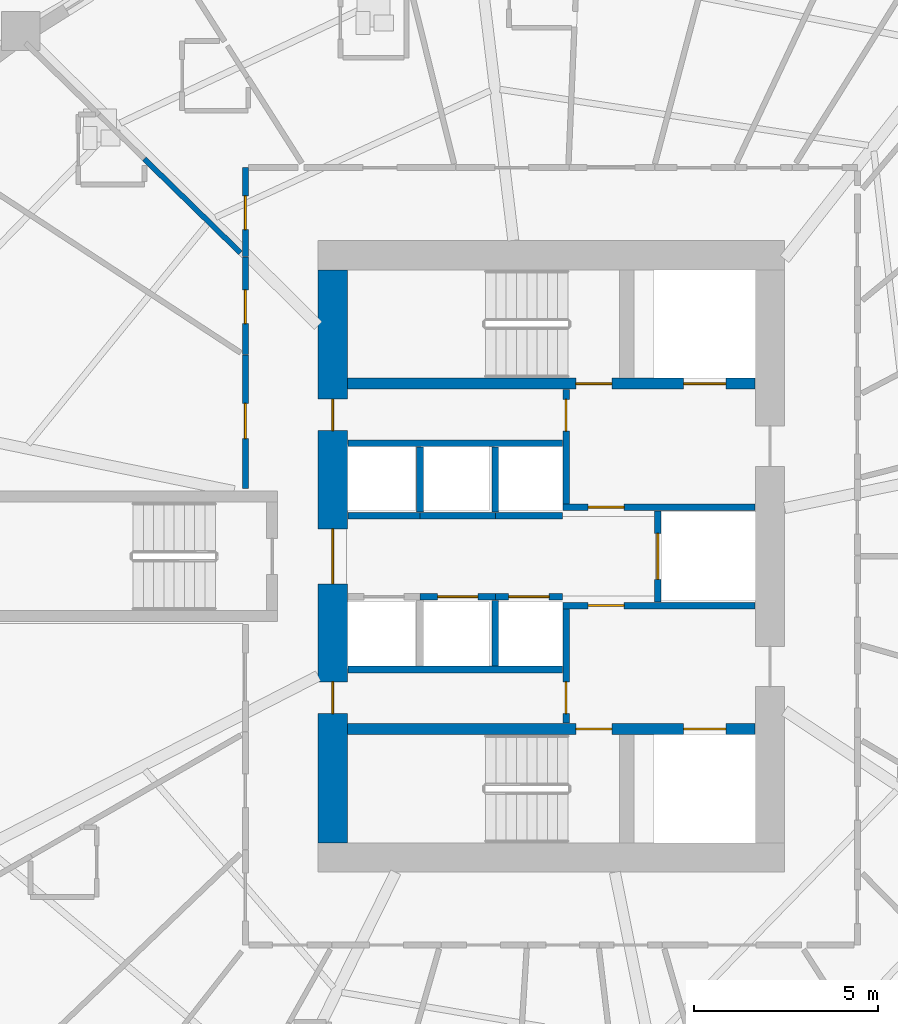
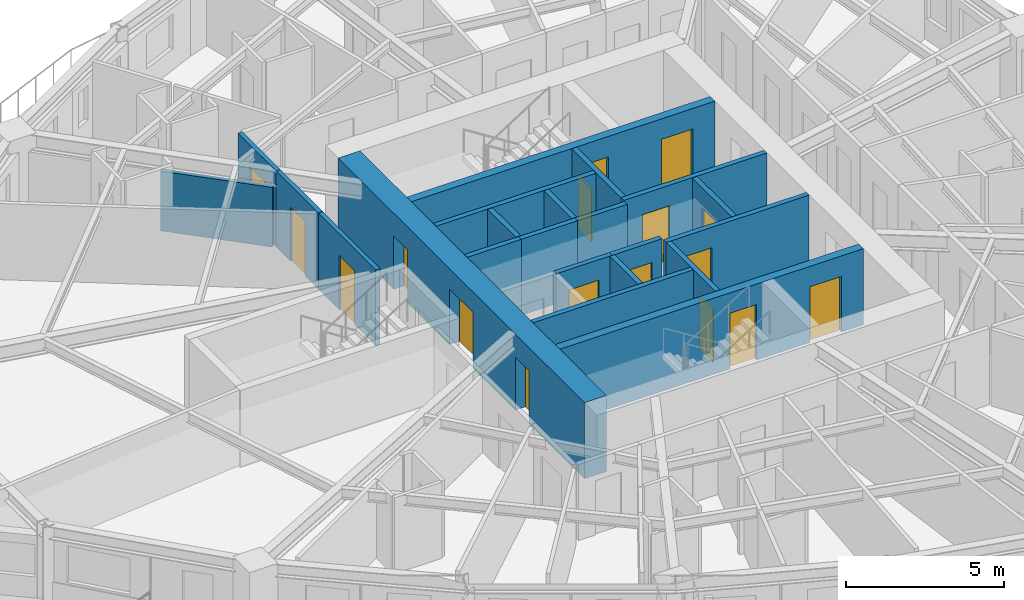
# One storey, part 5 of 14: 22 walls, 17 doors, 17 openings.
"""IFC4 building model written with IfcOpenShell, lengths in metres."""

from ifc_helpers import new_model, si_unit, direction, frame, frame_2d, origin, place, context, subcontext, project, spatial, rectangle, extrude, source, transform, mapped, material, layer, layer_set, type_object, element, fill, save


model = new_model("IFC4")

# Units and contexts
model_context = context("Model", 3, precision=1e-05, world=origin(), true_north=direction((0.0, 1.0)))
body_context = subcontext(model_context, "Body", "Model", "MODEL_VIEW")
ifc_project = project(units=[si_unit("LENGTHUNIT", "METRE"), si_unit("AREAUNIT", "SQUARE_METRE"), si_unit("VOLUMEUNIT", "CUBIC_METRE"), si_unit("PLANEANGLEUNIT", "RADIAN"), si_unit("MASSUNIT", "GRAM", prefix="KILO")], contexts=[model_context])

# Site, building, storey
site_placement = place(None, origin())
site = spatial("IfcSite", under=ifc_project, at=site_placement, CompositionType="ELEMENT")
building_placement = place(site_placement, origin())
building = spatial("IfcBuilding", under=site, at=building_placement, Name="Qafzar Sky-Pleat Residences", CompositionType="ELEMENT")
storey_placement = place(building_placement, frame((0.0, 0.0, 14.199951171875)))
storey = spatial("IfcBuildingStorey", under=building, at=storey_placement, Name="L03", CompositionType="ELEMENT", Elevation=14.199951171875)

# Wall, opening, door
ifc_material_1 = material(Name="Acoustic gypsum plasterboard partition", Category="gypsum")
ifc_layer_1 = layer(ifc_material_1, 0.159912109375)
ifc_layer_set_1 = layer_set([ifc_layer_1], Name="Acoustic gypsum plasterboard partition")
wall_type_1 = type_object("IfcWallType", Name="PART-COR-160", PredefinedType="PARTITIONING", material=ifc_layer_set_1)
wall_1_placement = place(storey_placement, frame((22.02001953125, 27.85009765625, 0.0), z_axis=(0.0, 0.0, 1.0), x_axis=(0.0, 1.0, 0.0)))
wall_1 = element("IfcWall", 1, at=wall_1_placement, inside=storey, type_object=wall_type_1, Name="L03 Partition Wall PART-L03-PW-003", PredefinedType="PARTITIONING", context=body_context, shape_type="SweptSolid", body=[
    extrude(rectangle(XDim=3.625, YDim=0.159912109375, at=frame_2d((1.8125, 0.0))), origin(), (0.0, 0.0, 1.0), 2.93994140625),
])
opening_1_placement = place(wall_1_placement, frame((1.35302734375, 0.0, 0.0)))
opening_1 = element("IfcOpeningElement", 2, at=opening_1_placement, cuts=wall_1, Name="Opening ID-06", PredefinedType="OPENING", context=body_context, shape_type="SweptSolid", body=[
    extrude(rectangle(XDim=0.9599609375, YDim=2.10009765625, at=frame_2d((0.47998046875, 1.050048828125))), frame((0.0, 0.08984375, 0.0), z_axis=(0.0, -1.0, 0.0), x_axis=(1.0, 0.0, 0.0)), (0.0, 0.0, 1.0), 0.179931640625),
])
ifc_material_2 = material(Name="Timber-faced fire door", Category="wood")
door_type_1 = type_object("IfcDoorType", Name="DR-STD-960", OperationType="NOTDEFINED", PredefinedType="DOOR", material=ifc_material_2)
shared_shape_1 = source(origin(), body_context, "Body", "SweptSolid", [
    extrude(rectangle(XDim=0.9599609375, YDim=2.10009765625, at=frame_2d((0.47998046875, 1.050048828125))), frame((0.0, 0.02490234375, 0.0), z_axis=(0.0, -1.0, 0.0), x_axis=(1.0, 0.0, 0.0)), (0.0, 0.0, 1.0), 0.050048828125),
])
door_1_placement = place(opening_1_placement, origin())
door_1 = element("IfcDoor", 3, at=door_1_placement, inside=storey, type_object=door_type_1, Name="L03 Reading Library Door", OperationType="SINGLE_SWING_RIGHT", OverallHeight=2.10009765625, OverallWidth=0.9599609375, PredefinedType="DOOR", context=body_context, shape_type="MappedRepresentation", body=[
    mapped(shared_shape_1, transform((0.0, 0.0, 0.0), x_axis=(1.0, 0.0, 0.0), y_axis=(0.0, 1.0, 0.0), z_axis=(0.0, 0.0, 1.0), scale=1.0)),
])
fill(opening_1, door_1)

wall_2_placement = place(storey_placement, frame((22.02001953125, 31.489990234375, 0.0), z_axis=(0.0, 0.0, 1.0), x_axis=(0.0, 1.0, 0.0)))
wall_2 = element("IfcWall", 4, at=wall_2_placement, inside=storey, type_object=wall_type_1, Name="L03 Partition Wall PART-L03-PW-010", PredefinedType="PARTITIONING", context=body_context, shape_type="SweptSolid", body=[
    extrude(rectangle(XDim=2.662109375, YDim=0.159912109375, at=frame_2d((1.3310546875, 0.0))), origin(), (0.0, 0.0, 1.0), 2.93994140625),
])
opening_2_placement = place(wall_2_placement, frame((0.843994140625, 0.0, 0.0)))
opening_2 = element("IfcOpeningElement", 5, at=opening_2_placement, cuts=wall_2, Name="Opening ID-04", PredefinedType="OPENING", context=body_context, shape_type="SweptSolid", body=[
    extrude(rectangle(XDim=0.919921875, YDim=2.10009765625, at=frame_2d((0.4599609375, 1.050048828125))), frame((0.0, 0.08984375, 0.0), z_axis=(0.0, -1.0, 0.0), x_axis=(1.0, 0.0, 0.0)), (0.0, 0.0, 1.0), 0.179931640625),
])
door_type_2 = type_object("IfcDoorType", Name="DR-BED-920", OperationType="NOTDEFINED", PredefinedType="DOOR", material=ifc_material_2)
shared_shape_2 = source(origin(), body_context, "Body", "SweptSolid", [
    extrude(rectangle(XDim=0.919921875, YDim=2.10009765625, at=frame_2d((0.4599609375, 1.050048828125))), frame((0.0, 0.02490234375, 0.0), z_axis=(0.0, -1.0, 0.0), x_axis=(1.0, 0.0, 0.0)), (0.0, 0.0, 1.0), 0.050048828125),
])
door_2_placement = place(opening_2_placement, origin())
door_2 = element("IfcDoor", 6, at=door_2_placement, inside=storey, type_object=door_type_2, Name="L03 Co-Living Bedroom 10 Door", OperationType="SINGLE_SWING_RIGHT", OverallHeight=2.10009765625, OverallWidth=0.919921875, PredefinedType="DOOR", context=body_context, shape_type="MappedRepresentation", body=[
    mapped(shared_shape_2, transform((0.0, 0.0, 0.0), x_axis=(1.0, 0.0, 0.0), y_axis=(0.0, 1.0, 0.0), z_axis=(0.0, 0.0, 1.0), scale=1.0)),
])
fill(opening_2, door_2)

wall_3_placement = place(storey_placement, frame((22.02001953125, 34.1669921875, 0.0), z_axis=(0.0, 0.0, 1.0), x_axis=(0.0, 1.0, 0.0)))
wall_3 = element("IfcWall", 7, at=wall_3_placement, inside=storey, type_object=wall_type_1, Name="L03 Partition Wall PART-L03-PW-014", PredefinedType="PARTITIONING", context=body_context, shape_type="SweptSolid", body=[
    extrude(rectangle(XDim=2.4130859375, YDim=0.159912109375, at=frame_2d((1.20654296875, 0.0))), origin(), (0.0, 0.0, 1.0), 2.93994140625),
])
opening_3_placement = place(wall_3_placement, frame((0.728515625, 0.0, 0.0)))
opening_3 = element("IfcOpeningElement", 8, at=opening_3_placement, cuts=wall_3, Name="Opening ID-04", PredefinedType="OPENING", context=body_context, shape_type="SweptSolid", body=[
    extrude(rectangle(XDim=0.919921875, YDim=2.10009765625, at=frame_2d((0.4599609375, 1.050048828125))), frame((0.0, 0.08984375, 0.0), z_axis=(0.0, -1.0, 0.0), x_axis=(1.0, 0.0, 0.0)), (0.0, 0.0, 1.0), 0.179931640625),
])
door_3_placement = place(opening_3_placement, origin())
door_3 = element("IfcDoor", 9, at=door_3_placement, inside=storey, type_object=door_type_2, Name="L03 Co-Living Bedroom 11 Door", OperationType="SINGLE_SWING_LEFT", OverallHeight=2.10009765625, OverallWidth=0.919921875, PredefinedType="DOOR", context=body_context, shape_type="MappedRepresentation", body=[
    mapped(shared_shape_2, transform((0.0, 0.0, 0.0), x_axis=(1.0, 0.0, 0.0), y_axis=(0.0, 1.0, 0.0), z_axis=(0.0, 0.0, 1.0), scale=1.0)),
])
fill(opening_3, door_3)

ifc_material_3 = material(Name="Concrete blockwork partition", Category="masonry")
ifc_layer_2 = layer(ifc_material_3, 0.179931640625)
ifc_layer_set_2 = layer_set([ifc_layer_2], Name="Concrete blockwork partition")
wall_type_2 = type_object("IfcWallType", Name="PART-SHAFT-180", PredefinedType="PARTITIONING", material=ifc_layer_set_2)
wall_4_placement = place(storey_placement, frame((30.75, 21.4599609375, 0.0), z_axis=(0.0, 0.0, 1.0), x_axis=(0.0, 1.0, 0.0)))
wall_4 = element("IfcWall", 10, at=wall_4_placement, inside=storey, type_object=wall_type_2, Name="L03 Partition Wall PART-L03-FFL1-W", PredefinedType="PARTITIONING", context=body_context, shape_type="SweptSolid", body=[
    extrude(rectangle(XDim=3.110107421875, YDim=0.179931640625, at=frame_2d((1.55517578125, 0.0))), origin(), (0.0, 0.0, 1.0), 2.93994140625),
])
opening_4_placement = place(wall_4_placement, frame((0.260009765625, 0.0, 0.0)))
opening_4 = element("IfcOpeningElement", 11, at=opening_4_placement, cuts=wall_4, Name="Opening ID-09", PredefinedType="OPENING", context=body_context, shape_type="SweptSolid", body=[
    extrude(rectangle(XDim=0.860107421875, YDim=2.050048828125, at=frame_2d((0.43017578125, 1.02490234375))), frame((0.0, 0.10009765625, 0.0), z_axis=(0.0, -1.0, 0.0), x_axis=(1.0, 0.0, 0.0)), (0.0, 0.0, 1.0), 0.199951171875),
])
door_type_3 = type_object("IfcDoorType", Name="DR-SVC-860", OperationType="NOTDEFINED", PredefinedType="DOOR", material=ifc_material_2)
shared_shape_3 = source(origin(), body_context, "Body", "SweptSolid", [
    extrude(rectangle(XDim=0.860107421875, YDim=2.050048828125, at=frame_2d((0.43017578125, 1.02490234375))), frame((0.0, 0.02490234375, 0.0), z_axis=(0.0, -1.0, 0.0), x_axis=(1.0, 0.0, 0.0)), (0.0, 0.0, 1.0), 0.050048828125),
])
door_4_placement = place(opening_4_placement, origin())
door_4 = element("IfcDoor", 12, at=door_4_placement, inside=storey, type_object=door_type_3, Name="L03 South Core Cupboard Door", OperationType="SINGLE_SWING_LEFT", OverallHeight=2.050048828125, OverallWidth=0.860107421875, PredefinedType="DOOR", context=body_context, shape_type="MappedRepresentation", body=[
    mapped(shared_shape_3, transform((0.0, 0.0, 0.0), x_axis=(1.0, 0.0, 0.0), y_axis=(0.0, 1.0, 0.0), z_axis=(0.0, 0.0, 1.0), scale=1.0)),
])
fill(opening_4, door_4)

wall_5_placement = place(storey_placement, frame((30.669921875, 24.659912109375, 0.0), z_axis=(0.0, 0.0, 1.0), x_axis=(1.0, 0.0, 0.0)))
wall_5 = element("IfcWall", 13, at=wall_5_placement, inside=storey, type_object=wall_type_2, Name="L03 Partition Wall PART-L03-FFL1-N", PredefinedType="PARTITIONING", context=body_context, shape_type="SweptSolid", body=[
    extrude(rectangle(XDim=5.219970703125, YDim=0.179931640625, at=frame_2d((2.60986328125, 0.0))), origin(), (0.0, 0.0, 1.0), 2.93994140625),
])
opening_5_placement = place(wall_5_placement, frame((0.679931640625, 0.0, 0.0)))
opening_5 = element("IfcOpeningElement", 14, at=opening_5_placement, cuts=wall_5, Name="Opening ID-01", PredefinedType="OPENING", context=body_context, shape_type="SweptSolid", body=[
    extrude(rectangle(XDim=0.97998046875, YDim=2.14990234375, at=frame_2d((0.489990234375, 1.074951171875))), frame((0.0, 0.10009765625, 0.0), z_axis=(0.0, -1.0, 0.0), x_axis=(1.0, 0.0, 0.0)), (0.0, 0.0, 1.0), 0.199951171875),
])
door_type_4 = type_object("IfcDoorType", Name="DR-STAIR-980", OperationType="NOTDEFINED", PredefinedType="DOOR", material=ifc_material_2)
shared_shape_4 = source(origin(), body_context, "Body", "SweptSolid", [
    extrude(rectangle(XDim=0.97998046875, YDim=2.14990234375, at=frame_2d((0.489990234375, 1.074951171875))), frame((0.0, 0.02490234375, 0.0), z_axis=(0.0, -1.0, 0.0), x_axis=(1.0, 0.0, 0.0)), (0.0, 0.0, 1.0), 0.050048828125),
])
door_5_placement = place(opening_5_placement, origin())
door_5 = element("IfcDoor", 15, at=door_5_placement, inside=storey, type_object=door_type_4, Name="L03 Lift Lobby to South Firefighting Lobby Door", OperationType="SINGLE_SWING_RIGHT", OverallHeight=2.14990234375, OverallWidth=0.97998046875, PredefinedType="DOOR", context=body_context, shape_type="MappedRepresentation", body=[
    mapped(shared_shape_4, transform((0.0, 0.0, 0.0), x_axis=(1.0, 0.0, 0.0), y_axis=(0.0, 1.0, 0.0), z_axis=(0.0, 0.0, 1.0), scale=1.0)),
])
fill(opening_5, door_5)

wall_6_placement = place(storey_placement, frame((30.75, 27.429931640625, 0.0), z_axis=(0.0, 0.0, 1.0), x_axis=(0.0, 1.0, 0.0)))
wall_6 = element("IfcWall", 16, at=wall_6_placement, inside=storey, type_object=wall_type_2, Name="L03 Partition Wall PART-L03-FFL2-W", PredefinedType="PARTITIONING", context=body_context, shape_type="SweptSolid", body=[
    extrude(rectangle(XDim=3.110107421875, YDim=0.179931640625, at=frame_2d((1.55517578125, 0.0))), origin(), (0.0, 0.0, 1.0), 2.93994140625),
])
opening_6_placement = place(wall_6_placement, frame((1.97998046875, 0.0, 0.0)))
opening_6 = element("IfcOpeningElement", 17, at=opening_6_placement, cuts=wall_6, Name="Opening ID-09", PredefinedType="OPENING", context=body_context, shape_type="SweptSolid", body=[
    extrude(rectangle(XDim=0.860107421875, YDim=2.050048828125, at=frame_2d((0.43017578125, 1.02490234375))), frame((0.0, 0.10009765625, 0.0), z_axis=(0.0, -1.0, 0.0), x_axis=(1.0, 0.0, 0.0)), (0.0, 0.0, 1.0), 0.199951171875),
])
door_6_placement = place(opening_6_placement, origin())
door_6 = element("IfcDoor", 18, at=door_6_placement, inside=storey, type_object=door_type_3, Name="L03 North Core Cupboard Door", OperationType="SINGLE_SWING_LEFT", OverallHeight=2.050048828125, OverallWidth=0.860107421875, PredefinedType="DOOR", context=body_context, shape_type="MappedRepresentation", body=[
    mapped(shared_shape_3, transform((0.0, 0.0, 0.0), x_axis=(1.0, 0.0, 0.0), y_axis=(0.0, 1.0, 0.0), z_axis=(0.0, 0.0, 1.0), scale=1.0)),
])
fill(opening_6, door_6)

wall_7_placement = place(storey_placement, frame((30.669921875, 27.340087890625, 0.0), z_axis=(0.0, 0.0, 1.0), x_axis=(1.0, 0.0, 0.0)))
wall_7 = element("IfcWall", 19, at=wall_7_placement, inside=storey, type_object=wall_type_2, Name="L03 Partition Wall PART-L03-FFL2-S", PredefinedType="PARTITIONING", context=body_context, shape_type="SweptSolid", body=[
    extrude(rectangle(XDim=5.219970703125, YDim=0.179931640625, at=frame_2d((2.60986328125, 0.0))), origin(), (0.0, 0.0, 1.0), 2.93994140625),
])
opening_7_placement = place(wall_7_placement, frame((0.679931640625, 0.0, 0.0)))
opening_7 = element("IfcOpeningElement", 20, at=opening_7_placement, cuts=wall_7, Name="Opening ID-01", PredefinedType="OPENING", context=body_context, shape_type="SweptSolid", body=[
    extrude(rectangle(XDim=0.97998046875, YDim=2.14990234375, at=frame_2d((0.489990234375, 1.074951171875))), frame((0.0, 0.10009765625, 0.0), z_axis=(0.0, -1.0, 0.0), x_axis=(1.0, 0.0, 0.0)), (0.0, 0.0, 1.0), 0.199951171875),
])
door_7_placement = place(opening_7_placement, origin())
door_7 = element("IfcDoor", 21, at=door_7_placement, inside=storey, type_object=door_type_4, Name="L03 Lift Lobby to North Firefighting Lobby Door", OperationType="SINGLE_SWING_RIGHT", OverallHeight=2.14990234375, OverallWidth=0.97998046875, PredefinedType="DOOR", context=body_context, shape_type="MappedRepresentation", body=[
    mapped(shared_shape_4, transform((0.0, 0.0, 0.0), x_axis=(1.0, 0.0, 0.0), y_axis=(0.0, 1.0, 0.0), z_axis=(0.0, 0.0, 1.0), scale=1.0)),
])
fill(opening_7, door_7)

wall_8_placement = place(storey_placement, frame((33.25, 24.760009765625, 0.0), z_axis=(0.0, 0.0, 1.0), x_axis=(0.0, 1.0, 0.0)))
wall_8 = element("IfcWall", 22, at=wall_8_placement, inside=storey, type_object=wall_type_2, Name="L03 Partition Wall PART-L03-SV1-W", PredefinedType="PARTITIONING", context=body_context, shape_type="SweptSolid", body=[
    extrude(rectangle(XDim=2.47998046875, YDim=0.179931640625, at=frame_2d((1.239990234375, 0.0))), origin(), (0.0, 0.0, 1.0), 2.93994140625),
])
opening_8_placement = place(wall_8_placement, frame((0.614990234375, 0.0, 0.0)))
opening_8 = element("IfcOpeningElement", 23, at=opening_8_placement, cuts=wall_8, Name="Opening LD-03", PredefinedType="OPENING", context=body_context, shape_type="SweptSolid", body=[
    extrude(rectangle(XDim=1.25, YDim=2.14990234375, at=frame_2d((0.625, 1.074951171875))), frame((0.0, 0.10009765625, 0.0), z_axis=(0.0, -1.0, 0.0), x_axis=(1.0, 0.0, 0.0)), (0.0, 0.0, 1.0), 0.199951171875),
])
ifc_material_4 = material(Name="Stainless steel sliding landing door", Category="steel")
door_type_5 = type_object("IfcDoorType", Name="DR-LIFT-SV", OperationType="DOUBLE_DOOR_SLIDING", PredefinedType="DOOR", material=ifc_material_4)
shared_shape_5 = source(origin(), body_context, "Body", "SweptSolid", [
    extrude(rectangle(XDim=1.25, YDim=2.14990234375, at=frame_2d((0.625, 1.074951171875))), frame((0.0, 0.02490234375, 0.0), z_axis=(0.0, -1.0, 0.0), x_axis=(1.0, 0.0, 0.0)), (0.0, 0.0, 1.0), 0.050048828125),
])
door_8_placement = place(opening_8_placement, origin())
door_8 = element("IfcDoor", 24, at=door_8_placement, inside=storey, type_object=door_type_5, Name="L03 Service Lift SV1 Landing Door", OperationType="DOUBLE_DOOR_SLIDING", OverallHeight=2.14990234375, OverallWidth=1.25, PredefinedType="DOOR", context=body_context, shape_type="MappedRepresentation", body=[
    mapped(shared_shape_5, transform((0.0, 0.0, 0.0), x_axis=(1.0, 0.0, 0.0), y_axis=(0.0, 1.0, 0.0), z_axis=(0.0, 0.0, 1.0), scale=1.0)),
])
fill(opening_8, door_8)

# Wall
wall_9_placement = place(storey_placement, frame((24.81005859375, 22.919921875, 0.0), z_axis=(0.0, 0.0, 1.0), x_axis=(1.0, 0.0, 0.0)))
element("IfcWall", 25, at=wall_9_placement, inside=storey, type_object=wall_type_2, Name="L03 Partition Wall PART-L03-P13-S", PredefinedType="PARTITIONING", context=body_context, shape_type="SweptSolid", body=[
    extrude(rectangle(XDim=5.83984375, YDim=0.179931640625, at=frame_2d((2.919921875, 0.0))), origin(), (0.0, 0.0, 1.0), 2.93994140625),
])

# Wall, opening, door
wall_10_placement = place(storey_placement, frame((26.77490234375, 24.89990234375, 0.0), z_axis=(0.0, 0.0, 1.0), x_axis=(1.0, 0.0, 0.0)))
wall_10 = element("IfcWall", 26, at=wall_10_placement, inside=storey, type_object=wall_type_2, Name="L03 Partition Wall PART-L03-P2-N", PredefinedType="PARTITIONING", context=body_context, shape_type="SweptSolid", body=[
    extrude(rectangle(XDim=2.050048828125, YDim=0.179931640625, at=frame_2d((1.02490234375, 0.0))), origin(), (0.0, 0.0, 1.0), 2.93994140625),
])
opening_9_placement = place(wall_10_placement, frame((0.47509765625, 0.0, 0.0)))
opening_9 = element("IfcOpeningElement", 27, at=opening_9_placement, cuts=wall_10, Name="Opening LD-01", PredefinedType="OPENING", context=body_context, shape_type="SweptSolid", body=[
    extrude(rectangle(XDim=1.10009765625, YDim=2.14990234375, at=frame_2d((0.550048828125, 1.074951171875))), frame((0.0, 0.10009765625, 0.0), z_axis=(0.0, -1.0, 0.0), x_axis=(1.0, 0.0, 0.0)), (0.0, 0.0, 1.0), 0.199951171875),
])
door_type_6 = type_object("IfcDoorType", Name="DR-LIFT-P", OperationType="DOUBLE_DOOR_SLIDING", PredefinedType="DOOR", material=ifc_material_4)
shared_shape_6 = source(origin(), body_context, "Body", "SweptSolid", [
    extrude(rectangle(XDim=1.10009765625, YDim=2.14990234375, at=frame_2d((0.550048828125, 1.074951171875))), frame((0.0, 0.02490234375, 0.0), z_axis=(0.0, -1.0, 0.0), x_axis=(1.0, 0.0, 0.0)), (0.0, 0.0, 1.0), 0.050048828125),
])
door_9_placement = place(opening_9_placement, origin())
door_9 = element("IfcDoor", 28, at=door_9_placement, inside=storey, type_object=door_type_6, Name="L03 Passenger Lift P2 Landing Door", OperationType="DOUBLE_DOOR_SLIDING", OverallHeight=2.14990234375, OverallWidth=1.10009765625, PredefinedType="DOOR", context=body_context, shape_type="MappedRepresentation", body=[
    mapped(shared_shape_6, transform((0.0, 0.0, 0.0), x_axis=(1.0, 0.0, 0.0), y_axis=(0.0, 1.0, 0.0), z_axis=(0.0, 0.0, 1.0), scale=1.0)),
])
fill(opening_9, door_9)

wall_11_placement = place(storey_placement, frame((28.824951171875, 24.89990234375, 0.0), z_axis=(0.0, 0.0, 1.0), x_axis=(1.0, 0.0, 0.0)))
wall_11 = element("IfcWall", 29, at=wall_11_placement, inside=storey, type_object=wall_type_2, Name="L03 Partition Wall PART-L03-P3-N", PredefinedType="PARTITIONING", context=body_context, shape_type="SweptSolid", body=[
    extrude(rectangle(XDim=1.824951171875, YDim=0.179931640625, at=frame_2d((0.91259765625, 0.0))), origin(), (0.0, 0.0, 1.0), 2.93994140625),
])
opening_10_placement = place(wall_11_placement, frame((0.362548828125, 0.0, 0.0)))
opening_10 = element("IfcOpeningElement", 30, at=opening_10_placement, cuts=wall_11, Name="Opening LD-01", PredefinedType="OPENING", context=body_context, shape_type="SweptSolid", body=[
    extrude(rectangle(XDim=1.10009765625, YDim=2.14990234375, at=frame_2d((0.550048828125, 1.074951171875))), frame((0.0, 0.10009765625, 0.0), z_axis=(0.0, -1.0, 0.0), x_axis=(1.0, 0.0, 0.0)), (0.0, 0.0, 1.0), 0.199951171875),
])
door_10_placement = place(opening_10_placement, origin())
door_10 = element("IfcDoor", 31, at=door_10_placement, inside=storey, type_object=door_type_6, Name="L03 Passenger Lift P3 Landing Door", OperationType="DOUBLE_DOOR_SLIDING", OverallHeight=2.14990234375, OverallWidth=1.10009765625, PredefinedType="DOOR", context=body_context, shape_type="MappedRepresentation", body=[
    mapped(shared_shape_6, transform((0.0, 0.0, 0.0), x_axis=(1.0, 0.0, 0.0), y_axis=(0.0, 1.0, 0.0), z_axis=(0.0, 0.0, 1.0), scale=1.0)),
])
fill(opening_10, door_10)

# Walls
wall_12_placement = place(storey_placement, frame((28.824951171875, 23.02001953125, 0.0), z_axis=(0.0, 0.0, 1.0), x_axis=(0.0, 1.0, 0.0)))
element("IfcWall", 32, at=wall_12_placement, inside=storey, type_object=wall_type_2, Name="L03 Partition Wall PART-L03-P13-DIV-2", PredefinedType="PARTITIONING", context=body_context, shape_type="SweptSolid", body=[
    extrude(rectangle(XDim=1.780029296875, YDim=0.179931640625, at=frame_2d((0.89013671875, 0.0))), origin(), (0.0, 0.0, 1.0), 2.93994140625),
])
wall_13_placement = place(storey_placement, frame((24.81005859375, 29.080078125, 0.0), z_axis=(0.0, 0.0, 1.0), x_axis=(1.0, 0.0, 0.0)))
element("IfcWall", 33, at=wall_13_placement, inside=storey, type_object=wall_type_2, Name="L03 Partition Wall PART-L03-P46-N", PredefinedType="PARTITIONING", context=body_context, shape_type="SweptSolid", body=[
    extrude(rectangle(XDim=5.83984375, YDim=0.179931640625, at=frame_2d((2.919921875, 0.0))), origin(), (0.0, 0.0, 1.0), 2.93994140625),
])
wall_14_placement = place(storey_placement, frame((24.81005859375, 27.10009765625, 0.0), z_axis=(0.0, 0.0, 1.0), x_axis=(1.0, 0.0, 0.0)))
element("IfcWall", 34, at=wall_14_placement, inside=storey, type_object=wall_type_2, Name="L03 Partition Wall PART-L03-P4-S", PredefinedType="PARTITIONING", context=body_context, shape_type="SweptSolid", body=[
    extrude(rectangle(XDim=1.96484375, YDim=0.179931640625, at=frame_2d((0.982421875, 0.0))), origin(), (0.0, 0.0, 1.0), 2.93994140625),
])
wall_15_placement = place(storey_placement, frame((26.77490234375, 27.10009765625, 0.0), z_axis=(0.0, 0.0, 1.0), x_axis=(1.0, 0.0, 0.0)))
element("IfcWall", 35, at=wall_15_placement, inside=storey, type_object=wall_type_2, Name="L03 Partition Wall PART-L03-P5-S", PredefinedType="PARTITIONING", context=body_context, shape_type="SweptSolid", body=[
    extrude(rectangle(XDim=2.050048828125, YDim=0.179931640625, at=frame_2d((1.02490234375, 0.0))), origin(), (0.0, 0.0, 1.0), 2.93994140625),
])
wall_16_placement = place(storey_placement, frame((26.77490234375, 27.199951171875, 0.0), z_axis=(0.0, 0.0, 1.0), x_axis=(0.0, 1.0, 0.0)))
element("IfcWall", 36, at=wall_16_placement, inside=storey, type_object=wall_type_2, Name="L03 Partition Wall PART-L03-P46-DIV-1", PredefinedType="PARTITIONING", context=body_context, shape_type="SweptSolid", body=[
    extrude(rectangle(XDim=1.780029296875, YDim=0.179931640625, at=frame_2d((0.89013671875, 0.0))), origin(), (0.0, 0.0, 1.0), 2.93994140625),
])
wall_17_placement = place(storey_placement, frame((28.824951171875, 27.10009765625, 0.0), z_axis=(0.0, 0.0, 1.0), x_axis=(1.0, 0.0, 0.0)))
element("IfcWall", 37, at=wall_17_placement, inside=storey, type_object=wall_type_2, Name="L03 Partition Wall PART-L03-P6-S", PredefinedType="PARTITIONING", context=body_context, shape_type="SweptSolid", body=[
    extrude(rectangle(XDim=1.824951171875, YDim=0.179931640625, at=frame_2d((0.91259765625, 0.0))), origin(), (0.0, 0.0, 1.0), 2.93994140625),
])
wall_18_placement = place(storey_placement, frame((28.824951171875, 27.199951171875, 0.0), z_axis=(0.0, 0.0, 1.0), x_axis=(0.0, 1.0, 0.0)))
element("IfcWall", 38, at=wall_18_placement, inside=storey, type_object=wall_type_2, Name="L03 Partition Wall PART-L03-P46-DIV-2", PredefinedType="PARTITIONING", context=body_context, shape_type="SweptSolid", body=[
    extrude(rectangle(XDim=1.780029296875, YDim=0.179931640625, at=frame_2d((0.89013671875, 0.0))), origin(), (0.0, 0.0, 1.0), 2.93994140625),
])
ifc_layer_3 = layer(ifc_material_1, 0.14501953125)
ifc_layer_set_3 = layer_set([ifc_layer_3], Name="Acoustic gypsum plasterboard partition")
wall_type_3 = type_object("IfcWallType", Name="PART-UNIT-145", PredefinedType="PARTITIONING", material=ifc_layer_set_3)
wall_19_placement = place(storey_placement, frame((19.27099609375, 36.81494140625, 0.0), z_axis=(0.0, 0.0, 1.0), x_axis=(0.71551452036, -0.698597860828, 0.0)))
element("IfcWall", 39, at=wall_19_placement, inside=storey, type_object=wall_type_3, Name="L03 Partition Wall PART-L03-PW-061", PredefinedType="PARTITIONING", context=body_context, shape_type="SweptSolid", body=[
    extrude(rectangle(XDim=3.6513671875, YDim=0.14501953125, at=frame_2d((1.82568359375, 0.0))), origin(), (0.0, 0.0, 1.0), 2.30810546875),
])

# Wall, openings, doors
ifc_material_5 = material(Name="Concrete C60/75", Category="concrete")
ifc_layer_4 = layer(ifc_material_5, 0.300048828125)
ifc_layer_set_4 = layer_set([ifc_layer_4], Name="Concrete C60/75")
wall_type_4 = type_object("IfcWallType", Name="WALL-SHEAR-300", PredefinedType="SHEAR", material=ifc_layer_set_4)
wall_20_placement = place(storey_placement, frame((24.800048828125, 21.300048828125, 0.0), z_axis=(0.0, 0.0, 1.0), x_axis=(1.0, 0.0, 0.0)))
wall_20 = element("IfcWall", 40, at=wall_20_placement, inside=storey, type_object=wall_type_4, Name="L03 Stair ST1 and FF1 Shaft North Wall", PredefinedType="SHEAR", context=body_context, shape_type="SweptSolid", body=[
    extrude(rectangle(XDim=11.099853515625, YDim=0.300048828125, at=frame_2d((5.5498046875, 0.0))), origin(), (0.0, 0.0, 1.0), 2.93994140625),
])
opening_11_placement = place(wall_20_placement, frame((6.219970703125, 0.0, 0.0)))
opening_11 = element("IfcOpeningElement", 41, at=opening_11_placement, cuts=wall_20, Name="Opening ID-01", PredefinedType="OPENING", context=body_context, shape_type="SweptSolid", body=[
    extrude(rectangle(XDim=0.97998046875, YDim=2.14990234375, at=frame_2d((0.489990234375, 1.074951171875))), frame((0.0, 0.16015625, 0.0), z_axis=(0.0, -1.0, 0.0), x_axis=(1.0, 0.0, 0.0)), (0.0, 0.0, 1.0), 0.320068359375),
])
opening_12_placement = place(wall_20_placement, frame((9.14990234375, 0.0, 0.0)))
opening_12 = element("IfcOpeningElement", 42, at=opening_12_placement, cuts=wall_20, Name="Opening LD-02", PredefinedType="OPENING", context=body_context, shape_type="SweptSolid", body=[
    extrude(rectangle(XDim=1.14990234375, YDim=2.14990234375, at=frame_2d((0.574951171875, 1.074951171875))), frame((0.0, 0.16015625, 0.0), z_axis=(0.0, -1.0, 0.0), x_axis=(1.0, 0.0, 0.0)), (0.0, 0.0, 1.0), 0.320068359375),
])
door_11_placement = place(opening_11_placement, origin())
door_11 = element("IfcDoor", 43, at=door_11_placement, inside=storey, type_object=door_type_4, Name="L03 Stair ST1 Fire Door", OperationType="SINGLE_SWING_RIGHT", OverallHeight=2.14990234375, OverallWidth=0.97998046875, PredefinedType="DOOR", context=body_context, shape_type="MappedRepresentation", body=[
    mapped(shared_shape_4, transform((0.0, 0.0, 0.0), x_axis=(1.0, 0.0, 0.0), y_axis=(0.0, 1.0, 0.0), z_axis=(0.0, 0.0, 1.0), scale=1.0)),
])
fill(opening_11, door_11)
door_type_7 = type_object("IfcDoorType", Name="DR-LIFT-FF", OperationType="DOUBLE_DOOR_SLIDING", PredefinedType="DOOR", material=ifc_material_4)
shared_shape_7 = source(origin(), body_context, "Body", "SweptSolid", [
    extrude(rectangle(XDim=1.14990234375, YDim=2.14990234375, at=frame_2d((0.574951171875, 1.074951171875))), frame((0.0, 0.02490234375, 0.0), z_axis=(0.0, -1.0, 0.0), x_axis=(1.0, 0.0, 0.0)), (0.0, 0.0, 1.0), 0.050048828125),
])
door_12_placement = place(opening_12_placement, origin())
door_12 = element("IfcDoor", 44, at=door_12_placement, inside=storey, type_object=door_type_7, Name="L03 Firefighting Lift FF1 Landing Door", OperationType="DOUBLE_DOOR_SLIDING", OverallHeight=2.14990234375, OverallWidth=1.14990234375, PredefinedType="DOOR", context=body_context, shape_type="MappedRepresentation", body=[
    mapped(shared_shape_7, transform((0.0, 0.0, 0.0), x_axis=(1.0, 0.0, 0.0), y_axis=(0.0, 1.0, 0.0), z_axis=(0.0, 0.0, 1.0), scale=1.0)),
])
fill(opening_12, door_12)

wall_21_placement = place(storey_placement, frame((24.800048828125, 30.699951171875, 0.0), z_axis=(0.0, 0.0, 1.0), x_axis=(1.0, 0.0, 0.0)))
wall_21 = element("IfcWall", 45, at=wall_21_placement, inside=storey, type_object=wall_type_4, Name="L03 Stair ST2 and FF2 Shaft South Wall", PredefinedType="SHEAR", context=body_context, shape_type="SweptSolid", body=[
    extrude(rectangle(XDim=11.099853515625, YDim=0.300048828125, at=frame_2d((5.5498046875, 0.0))), origin(), (0.0, 0.0, 1.0), 2.93994140625),
])
opening_13_placement = place(wall_21_placement, frame((6.219970703125, 0.0, 0.0)))
opening_13 = element("IfcOpeningElement", 46, at=opening_13_placement, cuts=wall_21, Name="Opening ID-01", PredefinedType="OPENING", context=body_context, shape_type="SweptSolid", body=[
    extrude(rectangle(XDim=0.97998046875, YDim=2.14990234375, at=frame_2d((0.489990234375, 1.074951171875))), frame((0.0, 0.16015625, 0.0), z_axis=(0.0, -1.0, 0.0), x_axis=(1.0, 0.0, 0.0)), (0.0, 0.0, 1.0), 0.320068359375),
])
opening_14_placement = place(wall_21_placement, frame((9.14990234375, 0.0, 0.0)))
opening_14 = element("IfcOpeningElement", 47, at=opening_14_placement, cuts=wall_21, Name="Opening LD-02", PredefinedType="OPENING", context=body_context, shape_type="SweptSolid", body=[
    extrude(rectangle(XDim=1.14990234375, YDim=2.14990234375, at=frame_2d((0.574951171875, 1.074951171875))), frame((0.0, 0.16015625, 0.0), z_axis=(0.0, -1.0, 0.0), x_axis=(1.0, 0.0, 0.0)), (0.0, 0.0, 1.0), 0.320068359375),
])
door_13_placement = place(opening_13_placement, origin())
door_13 = element("IfcDoor", 48, at=door_13_placement, inside=storey, type_object=door_type_4, Name="L03 Stair ST2 Fire Door", OperationType="SINGLE_SWING_LEFT", OverallHeight=2.14990234375, OverallWidth=0.97998046875, PredefinedType="DOOR", context=body_context, shape_type="MappedRepresentation", body=[
    mapped(shared_shape_4, transform((0.0, 0.0, 0.0), x_axis=(1.0, 0.0, 0.0), y_axis=(0.0, 1.0, 0.0), z_axis=(0.0, 0.0, 1.0), scale=1.0)),
])
fill(opening_13, door_13)
door_14_placement = place(opening_14_placement, origin())
door_14 = element("IfcDoor", 49, at=door_14_placement, inside=storey, type_object=door_type_7, Name="L03 Firefighting Lift FF2 Landing Door", OperationType="DOUBLE_DOOR_SLIDING", OverallHeight=2.14990234375, OverallWidth=1.14990234375, PredefinedType="DOOR", context=body_context, shape_type="MappedRepresentation", body=[
    mapped(shared_shape_7, transform((0.0, 0.0, 0.0), x_axis=(1.0, 0.0, 0.0), y_axis=(0.0, 1.0, 0.0), z_axis=(0.0, 0.0, 1.0), scale=1.0)),
])
fill(opening_14, door_14)

ifc_layer_5 = layer(ifc_material_5, 0.800048828125)
ifc_layer_set_5 = layer_set([ifc_layer_5], Name="Concrete C60/75")
wall_type_5 = type_object("IfcWallType", Name="WALL-SHEAR-800", PredefinedType="SHEAR", material=ifc_layer_set_5)
wall_22_placement = place(storey_placement, frame((24.39990234375, 33.800048828125, 0.0), z_axis=(0.0, 0.0, 1.0), x_axis=(0.0, -1.0, 0.0)))
wall_22 = element("IfcWall", 50, at=wall_22_placement, inside=storey, type_object=wall_type_5, Name="L03 CORE wall W", PredefinedType="SHEAR", context=body_context, shape_type="SweptSolid", body=[
    extrude(rectangle(XDim=15.60009765625, YDim=0.800048828125, at=frame_2d((7.800048828125, 0.0))), origin(), (0.0, 0.0, 1.0), 2.93994140625),
])
opening_15_placement = place(wall_22_placement, frame((7.050048828125, 0.0, 0.0)))
opening_15 = element("IfcOpeningElement", 51, at=opening_15_placement, cuts=wall_22, Name="Opening ID-03", PredefinedType="OPENING", context=body_context, shape_type="SweptSolid", body=[
    extrude(rectangle(XDim=1.5, YDim=2.14990234375, at=frame_2d((0.75, 1.074951171875))), frame((0.0, 0.41015625, 0.0), z_axis=(0.0, -1.0, 0.0), x_axis=(1.0, 0.0, 0.0)), (0.0, 0.0, 1.0), 0.820068359375),
])
opening_16_placement = place(wall_22_placement, frame((3.52001953125, 0.0, 0.0)))
opening_16 = element("IfcOpeningElement", 52, at=opening_16_placement, cuts=wall_22, Name="Opening ID-09", PredefinedType="OPENING", context=body_context, shape_type="SweptSolid", body=[
    extrude(rectangle(XDim=0.860107421875, YDim=2.050048828125, at=frame_2d((0.43017578125, 1.02490234375))), frame((0.0, 0.41015625, 0.0), z_axis=(0.0, -1.0, 0.0), x_axis=(1.0, 0.0, 0.0)), (0.0, 0.0, 1.0), 0.820068359375),
])
opening_17_placement = place(wall_22_placement, frame((11.219970703125, 0.0, 0.0)))
opening_17 = element("IfcOpeningElement", 53, at=opening_17_placement, cuts=wall_22, Name="Opening ID-09", PredefinedType="OPENING", context=body_context, shape_type="SweptSolid", body=[
    extrude(rectangle(XDim=0.860107421875, YDim=2.050048828125, at=frame_2d((0.43017578125, 1.02490234375))), frame((0.0, 0.41015625, 0.0), z_axis=(0.0, -1.0, 0.0), x_axis=(1.0, 0.0, 0.0)), (0.0, 0.0, 1.0), 0.820068359375),
])
door_type_8 = type_object("IfcDoorType", Name="DR-COR-1500", OperationType="DOUBLE_DOOR_SINGLE_SWING", PredefinedType="DOOR", material=ifc_material_2)
shared_shape_8 = source(origin(), body_context, "Body", "SweptSolid", [
    extrude(rectangle(XDim=1.5, YDim=2.14990234375, at=frame_2d((0.75, 1.074951171875))), frame((0.0, 0.02490234375, 0.0), z_axis=(0.0, -1.0, 0.0), x_axis=(1.0, 0.0, 0.0)), (0.0, 0.0, 1.0), 0.050048828125),
])
door_15_placement = place(opening_15_placement, origin())
door_15 = element("IfcDoor", 54, at=door_15_placement, inside=storey, type_object=door_type_8, Name="L03 Lift Lobby West Double Door", OperationType="DOUBLE_DOOR_SINGLE_SWING", OverallHeight=2.14990234375, OverallWidth=1.5, PredefinedType="DOOR", context=body_context, shape_type="MappedRepresentation", body=[
    mapped(shared_shape_8, transform((0.0, 0.0, 0.0), x_axis=(1.0, 0.0, 0.0), y_axis=(0.0, 1.0, 0.0), z_axis=(0.0, 0.0, 1.0), scale=1.0)),
])
fill(opening_15, door_15)
door_16_placement = place(opening_16_placement, origin())
door_16 = element("IfcDoor", 55, at=door_16_placement, inside=storey, type_object=door_type_3, Name="L03 Core North-West Service Door", OperationType="SINGLE_SWING_LEFT", OverallHeight=2.050048828125, OverallWidth=0.860107421875, PredefinedType="DOOR", context=body_context, shape_type="MappedRepresentation", body=[
    mapped(shared_shape_3, transform((0.0, 0.0, 0.0), x_axis=(1.0, 0.0, 0.0), y_axis=(0.0, 1.0, 0.0), z_axis=(0.0, 0.0, 1.0), scale=1.0)),
])
fill(opening_16, door_16)
door_17_placement = place(opening_17_placement, origin())
door_17 = element("IfcDoor", 56, at=door_17_placement, inside=storey, type_object=door_type_3, Name="L03 Core South-West Service Door", OperationType="SINGLE_SWING_RIGHT", OverallHeight=2.050048828125, OverallWidth=0.860107421875, PredefinedType="DOOR", context=body_context, shape_type="MappedRepresentation", body=[
    mapped(shared_shape_3, transform((0.0, 0.0, 0.0), x_axis=(1.0, 0.0, 0.0), y_axis=(0.0, 1.0, 0.0), z_axis=(0.0, 0.0, 1.0), scale=1.0)),
])
fill(opening_17, door_17)

save(model, "model.ifc")
